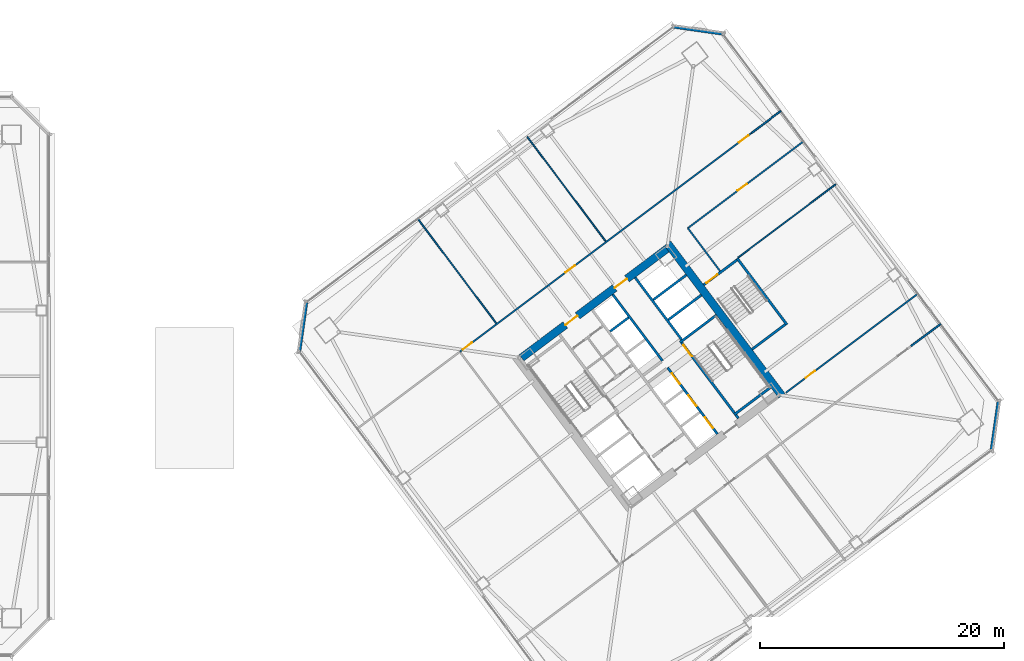
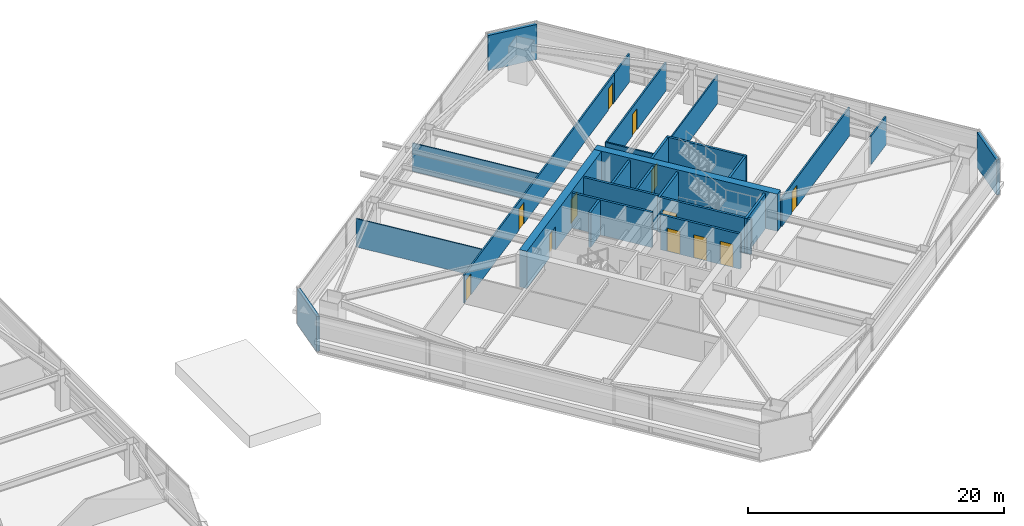
# One storey, part 37 of 46: 26 walls, 12 doors, 12 openings.
"""IFC4 building model written with IfcOpenShell, lengths in metres."""

import ifcopenshell
import ifcopenshell.guid

model = None  # the IFC model being written
_history = None  # IfcOwnerHistory: only IFC2X3 demands one
_inside = {}  # id of a spatial element -> (the spatial element, [elements in it])
_under = {}  # id of a project, library or spatial element -> (it, [spatial elements below it])
_declared = {}  # id of a project -> (the project, [libraries it declares])
_typed = {}  # id of a type object -> (the type object, [elements of that type])
_made_of = {}  # id of a material, layer set ... -> (it, [elements and type objects made of it])


def new_model(schema):
    """Start an empty IFC model of exactly this schema.

    Asked for "IFC4X3", IfcOpenShell would pick the latest addendum, in which some entities
    have other attributes; the version numbers below select the first issue.
    IFC2X3 requires an IfcOwnerHistory on every rooted entity: one is made here for all.
    """
    global model, _history
    if schema == "IFC4X3":
        model = ifcopenshell.file(schema_version=(4, 3, 0, 0))
    else:
        model = ifcopenshell.file(schema=schema)
    _inside.clear()
    _under.clear()
    _declared.clear()
    _typed.clear()
    _made_of.clear()
    _history = None
    if model.schema == "IFC2X3":
        org = make("IfcOrganization", Name="unknown")
        user = make(
            "IfcPersonAndOrganization",
            ThePerson=make("IfcPerson", FamilyName="unknown"),
            TheOrganization=org,
        )
        app = make(
            "IfcApplication",
            ApplicationDeveloper=org,
            Version="unknown",
            ApplicationFullName="unknown",
            ApplicationIdentifier="unknown",
        )
        _history = make(
            "IfcOwnerHistory",
            OwningUser=user,
            OwningApplication=app,
            ChangeAction="ADDED",
            CreationDate=0,
        )
    return model


def make(cls, **values):
    """One entity of the class cls with the attributes given. An attribute that is None is left unset."""
    return model.create_entity(
        cls, **{name: value for name, value in values.items() if value is not None}
    )


def rooted(cls, **values):
    """An entity with a GlobalId (a new one), such as an element, a storey or a relation."""
    return make(cls, GlobalId=ifcopenshell.guid.new(), OwnerHistory=_history, **values)


def si_unit(unit_type, name, prefix=None):
    """IfcSIUnit, for example si_unit("LENGTHUNIT", "METRE", prefix="MILLI")."""
    return make("IfcSIUnit", UnitType=unit_type, Prefix=prefix, Name=name)


def assignment(units):
    """IfcUnitAssignment: the units of a project."""
    return None if units is None else make("IfcUnitAssignment", Units=units)


def point(xyz):
    """IfcCartesianPoint."""
    return None if xyz is None else make("IfcCartesianPoint", Coordinates=xyz)


def direction(xyz):
    """IfcDirection."""
    return None if xyz is None else make("IfcDirection", DirectionRatios=xyz)


def frame(location, z_axis=None, x_axis=None):
    """IfcAxis2Placement3D, a coordinate frame: its origin and axes. An axis left out is left unset."""
    return make(
        "IfcAxis2Placement3D",
        Location=point(location),
        Axis=direction(z_axis),
        RefDirection=direction(x_axis),
    )


def frame_2d(location, x_axis=None):
    """IfcAxis2Placement2D, a coordinate frame in the plane: its origin and x axis."""
    return make(
        "IfcAxis2Placement2D", Location=point(location), RefDirection=direction(x_axis)
    )


def origin():
    """The frame at (0, 0, 0) with its axes left unset."""
    return frame((0.0, 0.0, 0.0))


def place(relative_to, where):
    """IfcLocalPlacement: puts the frame where relative to a parent placement (None: the world)."""
    return make(
        "IfcLocalPlacement", PlacementRelTo=relative_to, RelativePlacement=where
    )


def context(
    kind, dimensions, precision=None, world=None, true_north=None, identifier=None
):
    """IfcGeometricRepresentationContext, for example the 3D "Model" context."""
    return make(
        "IfcGeometricRepresentationContext",
        ContextIdentifier=identifier,
        ContextType=kind,
        CoordinateSpaceDimension=dimensions,
        Precision=precision,
        WorldCoordinateSystem=world,
        TrueNorth=true_north,
    )


def subcontext(parent, identifier, kind, view, scale=None):
    """IfcGeometricRepresentationSubContext, for example "Body" below "Model"."""
    return make(
        "IfcGeometricRepresentationSubContext",
        ContextIdentifier=identifier,
        ContextType=kind,
        ParentContext=parent,
        TargetScale=scale,
        TargetView=view,
    )


def project(units=None, contexts=None):
    """IfcProject with its units and contexts."""
    return rooted(
        "IfcProject",
        Name="project",
        RepresentationContexts=contexts,
        UnitsInContext=assignment(units),
    )


def spatial(cls, under=None, at=None, **own):
    """A site, building, storey or space (cls), placed at a placement, below another one or the project."""
    s = rooted(cls, ObjectPlacement=at, **own)
    if under is not None:
        _under.setdefault(under.id(), (under, []))[1].append(s)
    return s


def profile(cls, at=None, kind="AREA", **sizes):
    """A parametric profile (cls). Its sizes go by their IFC names, for example OverallWidth=200.0."""
    return make(cls, ProfileType=kind, Position=at, **sizes)


def rectangle(**sizes):
    """IfcRectangleProfileDef."""
    return profile("IfcRectangleProfileDef", **sizes)


def extrude(swept, where, along, depth):
    """IfcExtrudedAreaSolid: the profile swept, set in the frame where, extruded along a direction by depth."""
    return make(
        "IfcExtrudedAreaSolid",
        SweptArea=swept,
        Position=where,
        ExtrudedDirection=direction(along),
        Depth=depth,
    )


def shape(context_of_items, identifier, shape_type, items):
    """IfcShapeRepresentation: the items that make up one representation, for example the "Body"."""
    return make(
        "IfcShapeRepresentation",
        ContextOfItems=context_of_items,
        RepresentationIdentifier=identifier,
        RepresentationType=shape_type,
        Items=items,
    )


def material(Name=None, Category=None):
    """IfcMaterial."""
    return make("IfcMaterial", Name=Name, Category=Category)


def layer(
    of_material, thickness, ventilated=None, Name=None, Category=None, Priority=None
):
    """IfcMaterialLayer: one layer of a wall or slab, of a material (None: an air gap)."""
    return make(
        "IfcMaterialLayer",
        Material=of_material,
        LayerThickness=thickness,
        IsVentilated=ventilated,
        Name=Name,
        Category=Category,
        Priority=Priority,
    )


def layer_set(layers, Name=None):
    """IfcMaterialLayerSet."""
    return make("IfcMaterialLayerSet", MaterialLayers=layers, LayerSetName=Name)


def made_of(thing, what):
    """Note that an element or type object is made of a material, layer set ...; save() writes the relation."""
    if what is not None:
        _made_of.setdefault(what.id(), (what, []))[1].append(thing)
    return thing


def type_object(cls, material=None, **own):
    """A type object (cls), such as IfcWallType, which elements share."""
    return made_of(rooted(cls, **own), material)


def element(
    cls,
    number,
    at=None,
    inside=None,
    cuts=None,
    type_object=None,
    material=None,
    context=None,
    identifier="Body",
    shape_type=None,
    held_by="IfcProductDefinitionShape",
    body=None,
    shapes=None,
    **own,
):
    """One element of the class cls, such as IfcWall. Its Tag is "e" and its number.

    at: its placement. inside: the storey or other place that contains it. cuts: it is an
    opening in that element (IfcRelVoidsElement). A single representation is given by context,
    identifier, shape_type and body (its items); several are given by shapes. held_by: the class
    of the entity that holds the representations. save() writes the other relations.
    """
    e = rooted(cls, Tag="e%d" % number, ObjectPlacement=at, **own)
    if body is not None:
        shapes = [shape(context, identifier, shape_type, body)]
    if shapes is not None:
        e.Representation = make(held_by, Representations=shapes)
    if inside is not None:
        _inside.setdefault(inside.id(), (inside, []))[1].append(e)
    if cuts is not None:
        rooted(
            "IfcRelVoidsElement", RelatingBuildingElement=cuts, RelatedOpeningElement=e
        )
    if type_object is not None:
        _typed.setdefault(type_object.id(), (type_object, []))[1].append(e)
    return made_of(e, material)


def fill(opening, filler):
    """IfcRelFillsElement: the door or window that sits in an opening."""
    return rooted(
        "IfcRelFillsElement",
        RelatingOpeningElement=opening,
        RelatedBuildingElement=filler,
    )


def aggregate(whole, parts):
    """IfcRelAggregates: a whole, such as a stair, and the parts it consists of."""
    return rooted("IfcRelAggregates", RelatingObject=whole, RelatedObjects=parts)


def save(model, path):
    """Write the relations noted so far, then the file.

    IfcRelAggregates (storeys below a building ...), IfcRelContainedInSpatialStructure (elements
    in a storey), IfcRelDefinesByType, IfcRelAssociatesMaterial and IfcRelDeclares: one each for
    every whole, place, type object, material and project.
    """
    for whole, parts in _under.values():
        aggregate(whole, parts)
    for where, things in _inside.values():
        rooted(
            "IfcRelContainedInSpatialStructure",
            RelatedElements=things,
            RelatingStructure=where,
        )
    for kind, things in _typed.values():
        rooted("IfcRelDefinesByType", RelatedObjects=things, RelatingType=kind)
    for what, things in _made_of.values():
        rooted("IfcRelAssociatesMaterial", RelatedObjects=things, RelatingMaterial=what)
    for by, libraries in _declared.values():
        rooted("IfcRelDeclares", RelatingContext=by, RelatedDefinitions=libraries)
    model.write(path)


model = new_model("IFC4")

# Units and contexts
model_context = context("Model", 3, precision=1e-05, world=origin(), true_north=direction((0.0, 1.0)))
body_context = subcontext(model_context, "Body", "Model", "MODEL_VIEW")
ifc_project = project(units=[si_unit("LENGTHUNIT", "METRE"), si_unit("AREAUNIT", "SQUARE_METRE"), si_unit("VOLUMEUNIT", "CUBIC_METRE"), si_unit("PLANEANGLEUNIT", "RADIAN"), si_unit("MASSUNIT", "GRAM", prefix="KILO")], contexts=[model_context])

# Site, building, storey
site_placement = place(None, origin())
site = spatial("IfcSite", under=ifc_project, at=site_placement, CompositionType="ELEMENT")
building_placement = place(site_placement, origin())
building = spatial("IfcBuilding", under=site, at=building_placement, Name="Tashvorn Skyway Center", CompositionType="ELEMENT")
storey_placement = place(building_placement, frame((0.0, 0.0, 31.699951171875)))
storey = spatial("IfcBuildingStorey", under=building, at=storey_placement, Name="L07", CompositionType="ELEMENT", Elevation=31.699951171875)

# Wall
ifc_material_1 = material(Name="Concrete C60/75", Category="concrete")
ifc_layer_1 = layer(ifc_material_1, 0.64990234375)
ifc_layer_set_1 = layer_set([ifc_layer_1], Name="Concrete C60/75")
wall_type_1 = type_object("IfcWallType", Name="WALL-CORE-650", PredefinedType="SHEAR", material=ifc_layer_set_1)
wall_1_placement = place(storey_placement, frame((115.52392578125, 42.89306640625, 0.0), z_axis=(0.0, 0.0, 1.0), x_axis=(0.600005007985, -0.799996243986, 0.0)))
element("IfcWall", 1, at=wall_1_placement, inside=storey, type_object=wall_type_1, Name="Tower 2 L07 East Core Shear Wall", PredefinedType="SHEAR", context=body_context, shape_type="SweptSolid", body=[
    extrude(rectangle(XDim=15.60009765625, YDim=0.64990234375, at=frame_2d((7.800048828125, 0.0))), origin(), (0.0, 0.0, 1.0), 3.550048828125),
])

# Wall, openings, doors
wall_2_placement = place(storey_placement, frame((103.571044921875, 33.52197265625, 0.0), z_axis=(0.0, 0.0, 1.0), x_axis=(0.799998028465, 0.600002628705, 0.0)))
wall_2 = element("IfcWall", 2, at=wall_2_placement, inside=storey, type_object=wall_type_1, Name="Tower 2 L07 North Core Shear Wall", PredefinedType="SHEAR", context=body_context, shape_type="SweptSolid", body=[
    extrude(rectangle(XDim=14.85986328125, YDim=0.64990234375, at=frame_2d((7.429931640625, 0.0))), origin(), (0.0, 0.0, 1.0), 3.550048828125),
])
opening_1_placement = place(wall_2_placement, frame((4.47998046875, 0.0, 0.0)))
opening_1 = element("IfcOpeningElement", 3, at=opening_1_placement, cuts=wall_2, Name="Opening D-FFL-1250", PredefinedType="OPENING", context=body_context, shape_type="SweptSolid", body=[
    extrude(rectangle(XDim=1.25, YDim=2.25, at=frame_2d((0.625, 1.125))), frame((0.0, 0.3349609375, 0.0), z_axis=(0.0, -1.0, 0.0), x_axis=(1.0, 0.0, 0.0)), (0.0, 0.0, 1.0), 0.669921875),
])
opening_2_placement = place(wall_2_placement, frame((9.530029296875, 0.0, 0.0)))
opening_2 = element("IfcOpeningElement", 4, at=opening_2_placement, cuts=wall_2, Name="Opening D-FFL-1250", PredefinedType="OPENING", context=body_context, shape_type="SweptSolid", body=[
    extrude(rectangle(XDim=1.25, YDim=2.25, at=frame_2d((0.625, 1.125))), frame((0.0, 0.3349609375, 0.0), z_axis=(0.0, -1.0, 0.0), x_axis=(1.0, 0.0, 0.0)), (0.0, 0.0, 1.0), 0.669921875),
])
ifc_material_2 = material(Name="Hollow galvanized steel fire door assembly", Category="steel")
door_type_1 = type_object("IfcDoorType", Name="DOOR-FFL-1250", OperationType="NOTDEFINED", PredefinedType="DOOR", material=ifc_material_2)
door_1_placement = place(opening_1_placement, origin())
door_1 = element("IfcDoor", 5, at=door_1_placement, inside=storey, type_object=door_type_1, Name="Tower 2 L07 Core North Service Lobby Door", OperationType="SINGLE_SWING_LEFT", OverallHeight=2.25, OverallWidth=1.25, PredefinedType="DOOR", context=body_context, shape_type="SweptSolid", body=[
    extrude(rectangle(XDim=1.25, YDim=2.25, at=frame_2d((0.625, 1.125))), frame((0.0, 0.02490234375, 0.0), z_axis=(0.0, -1.0, 0.0), x_axis=(1.0, 0.0, 0.0)), (0.0, 0.0, 1.0), 0.050048828125),
])
fill(opening_1, door_1)
door_2_placement = place(opening_2_placement, origin())
door_2 = element("IfcDoor", 6, at=door_2_placement, inside=storey, type_object=door_type_1, Name="Tower 2 L07 Core North Lift Lobby Door", OperationType="SINGLE_SWING_RIGHT", OverallHeight=2.25, OverallWidth=1.25, PredefinedType="DOOR", context=body_context, shape_type="SweptSolid", body=[
    extrude(rectangle(XDim=1.25, YDim=2.25, at=frame_2d((0.625, 1.125))), frame((0.0, 0.02490234375, 0.0), z_axis=(0.0, -1.0, 0.0), x_axis=(1.0, 0.0, 0.0)), (0.0, 0.0, 1.0), 0.050048828125),
])
fill(opening_2, door_2)

# Walls
ifc_material_3 = material(Name="Precast concrete C40/50", Category="concrete")
ifc_layer_2 = layer(ifc_material_3, 0.280029296875)
ifc_layer_set_2 = layer_set([ifc_layer_2], Name="Precast concrete C40/50")
wall_type_2 = type_object("IfcWallType", Name="WALL-EXT-280", PredefinedType="SOLIDWALL", material=ifc_layer_set_2)
for number, where, z_axis, x_axis, name in (
    (7, (85.360107421875, 34.02001953125, 0.0), (0.0, 0.0, 1.0), (0.14137968631, 0.989955445613, 0.0), "Tower 2 L07 NW Precast Chamfer Wall"),
    (8, (116.02001953125, 60.639892578125, 0.0), (0.0, 0.0, 1.0), (0.989955445613, -0.14137968631, 0.0), "Tower 2 L07 NE Precast Chamfer Wall"),
    (9, (142.639892578125, 29.97998046875, 0.0), (0.0, 0.0, 1.0), (-0.14137968631, -0.989955445613, 0.0), "Tower 2 L07 SE Precast Chamfer Wall"),
):
    element("IfcWall", number, at=place(storey_placement, frame(where, z_axis=z_axis, x_axis=x_axis)), inside=storey, type_object=wall_type_2, Name=name, PredefinedType="SOLIDWALL", context=body_context, shape_type="SweptSolid", body=[
        extrude(rectangle(XDim=4.101318359375, YDim=0.280029296875, at=frame_2d((2.05078125, 0.0))), origin(), (0.0, 0.0, 1.0), 3.35009765625),
    ])
ifc_material_4 = material(Name="Gypsum board on cold-formed steel stud framing", Category="steel")
ifc_layer_3 = layer(ifc_material_4, 0.110107421875)
ifc_layer_set_3 = layer_set([ifc_layer_3], Name="Gypsum board on cold-formed steel stud framing")
wall_type_3 = type_object("IfcWallType", Name="WALL-PART-110", PredefinedType="PARTITIONING", material=ifc_layer_set_3)
for number, where, z_axis, x_axis, name in (
    (10, (101.491943359375, 36.343994140625, 0.0), (0.0, 0.0, 1.0), (-0.599992698573, 0.800005476018, 0.0), "Tower 2 L07 North Suite Partition 1"),
    (11, (110.451904296875, 43.06396484375, 0.0), (0.0, 0.0, 1.0), (-0.599992698573, 0.800005476018, 0.0), "Tower 2 L07 North Suite Partition 2"),
):
    element("IfcWall", number, at=place(storey_placement, frame(where, z_axis=z_axis, x_axis=x_axis)), inside=storey, type_object=wall_type_3, Name=name, PredefinedType="PARTITIONING", context=body_context, shape_type="SweptSolid", body=[
        extrude(rectangle(XDim=10.699951171875, YDim=0.110107421875, at=frame_2d((5.35009765625, 0.0))), origin(), (0.0, 0.0, 1.0), 2.703125),
    ])
wall_3_placement = place(storey_placement, frame((129.303955078125, 47.72802734375, 0.0), z_axis=(0.0, 0.0, 1.0), x_axis=(-0.8, -0.6, 0.0)))
element("IfcWall", 12, at=wall_3_placement, inside=storey, type_object=wall_type_3, Name="Tower 2 L07 East Suite Partition 1", PredefinedType="PARTITIONING", context=body_context, shape_type="SweptSolid", body=[
    extrude(rectangle(XDim=10.0, YDim=0.110107421875, at=frame_2d((5.0, 0.0))), origin(), (0.0, 0.0, 1.0), 2.703125),
])
ifc_layer_4 = layer(ifc_material_4, 0.135009765625)
ifc_layer_set_4 = layer_set([ifc_layer_4], Name="Gypsum board on cold-formed steel stud framing")
wall_type_4 = type_object("IfcWallType", Name="WALL-PART-135", PredefinedType="PARTITIONING", material=ifc_layer_set_4)
wall_4_placement = place(storey_placement, frame((119.823974609375, 40.617919921875, 0.0), z_axis=(0.0, 0.0, 1.0), x_axis=(-0.599982243973, 0.800013316712, 0.0)))
element("IfcWall", 13, at=wall_4_placement, inside=storey, type_object=wall_type_4, Name="Tower 2 L07 Stair 3 Access Corridor Wall", PredefinedType="PARTITIONING", context=body_context, shape_type="SweptSolid", body=[
    extrude(rectangle(XDim=4.39990234375, YDim=0.135009765625, at=frame_2d((2.199951171875, 0.0))), origin(), (0.0, 0.0, 1.0), 2.703125),
])

# Wall, openings, doors
wall_5_placement = place(storey_placement, frame((98.51611328125, 34.011962890625, 0.0), z_axis=(0.0, 0.0, 1.0), x_axis=(0.799998035726, 0.600002619023, 0.0)))
wall_5 = element("IfcWall", 14, at=wall_5_placement, inside=storey, type_object=wall_type_4, Name="Tower 2 L07 North Suite Wall", PredefinedType="PARTITIONING", context=body_context, shape_type="SweptSolid", body=[
    extrude(rectangle(XDim=29.829833984375, YDim=0.135009765625, at=frame_2d((14.9150390625, 0.0))), origin(), (0.0, 0.0, 1.0), 2.703125),
])
opening_3_placement = place(wall_5_placement, frame((0.300048828125, 0.0, 0.0)))
opening_3 = element("IfcOpeningElement", 15, at=opening_3_placement, cuts=wall_5, Name="Opening D-INT-950", PredefinedType="OPENING", context=body_context, shape_type="SweptSolid", body=[
    extrude(rectangle(XDim=0.949951171875, YDim=2.050048828125, at=frame_2d((0.47509765625, 1.02490234375))), frame((0.0, 0.077392578125, 0.0), z_axis=(0.0, -1.0, 0.0), x_axis=(1.0, 0.0, 0.0)), (0.0, 0.0, 1.0), 0.155029296875),
])
opening_4_placement = place(wall_5_placement, frame((10.82861328125, 0.0, 0.0)))
opening_4 = element("IfcOpeningElement", 16, at=opening_4_placement, cuts=wall_5, Name="Opening D-INT-950", PredefinedType="OPENING", context=body_context, shape_type="SweptSolid", body=[
    extrude(rectangle(XDim=0.949951171875, YDim=2.050048828125, at=frame_2d((0.47509765625, 1.02490234375))), frame((0.0, 0.077392578125, 0.0), z_axis=(0.0, -1.0, 0.0), x_axis=(1.0, 0.0, 0.0)), (0.0, 0.0, 1.0), 0.155029296875),
])
opening_5_placement = place(wall_5_placement, frame((28.580078125, 0.0, 0.0)))
opening_5 = element("IfcOpeningElement", 17, at=opening_5_placement, cuts=wall_5, Name="Opening D-INT-950", PredefinedType="OPENING", context=body_context, shape_type="SweptSolid", body=[
    extrude(rectangle(XDim=0.949951171875, YDim=2.050048828125, at=frame_2d((0.47509765625, 1.02490234375))), frame((0.0, 0.077392578125, 0.0), z_axis=(0.0, -1.0, 0.0), x_axis=(1.0, 0.0, 0.0)), (0.0, 0.0, 1.0), 0.155029296875),
])
ifc_material_5 = material(Name="Solid-core architectural oak veneer door")
door_type_2 = type_object("IfcDoorType", Name="DOOR-INT-950", OperationType="NOTDEFINED", PredefinedType="DOOR", material=ifc_material_5)
door_3_placement = place(opening_3_placement, origin())
door_3 = element("IfcDoor", 18, at=door_3_placement, inside=storey, type_object=door_type_2, Name="Tower 2 L07 Open Plan Office Door", OperationType="SINGLE_SWING_LEFT", OverallHeight=2.050048828125, OverallWidth=0.949951171875, PredefinedType="DOOR", context=body_context, shape_type="SweptSolid", body=[
    extrude(rectangle(XDim=0.949951171875, YDim=2.050048828125, at=frame_2d((0.47509765625, 1.02490234375))), frame((0.0, 0.02490234375, 0.0), z_axis=(0.0, -1.0, 0.0), x_axis=(1.0, 0.0, 0.0)), (0.0, 0.0, 1.0), 0.050048828125),
])
fill(opening_3, door_3)
door_4_placement = place(opening_4_placement, origin())
door_4 = element("IfcDoor", 19, at=door_4_placement, inside=storey, type_object=door_type_2, Name="Tower 2 L07 Open Plan Office Door", OperationType="SINGLE_SWING_RIGHT", OverallHeight=2.050048828125, OverallWidth=0.949951171875, PredefinedType="DOOR", context=body_context, shape_type="SweptSolid", body=[
    extrude(rectangle(XDim=0.949951171875, YDim=2.050048828125, at=frame_2d((0.47509765625, 1.02490234375))), frame((0.0, 0.02490234375, 0.0), z_axis=(0.0, -1.0, 0.0), x_axis=(1.0, 0.0, 0.0)), (0.0, 0.0, 1.0), 0.050048828125),
])
fill(opening_4, door_4)
door_5_placement = place(opening_5_placement, origin())
door_5 = element("IfcDoor", 20, at=door_5_placement, inside=storey, type_object=door_type_2, Name="Tower 2 L07 Catering Pantry Door", OperationType="SINGLE_SWING_LEFT", OverallHeight=2.050048828125, OverallWidth=0.949951171875, PredefinedType="DOOR", context=body_context, shape_type="SweptSolid", body=[
    extrude(rectangle(XDim=0.949951171875, YDim=2.050048828125, at=frame_2d((0.47509765625, 1.02490234375))), frame((0.0, 0.02490234375, 0.0), z_axis=(0.0, -1.0, 0.0), x_axis=(1.0, 0.0, 0.0)), (0.0, 0.0, 1.0), 0.050048828125),
])
fill(opening_5, door_5)

# Walls
for number, where, z_axis, x_axis, name in (
    (21, (122.3798828125, 51.909912109375, 0.0), (0.0, 0.0, 1.0), (0.799990331366, 0.600012891296, 0.0), "Tower 2 L07 North-East Suite South Wall"),
    (22, (135.4599609375, 34.469970703125, 0.0), (0.0, 0.0, 1.0), (0.799990331366, 0.600012891296, 0.0), "Tower 2 L07 South-East Suite North Wall"),
):
    element("IfcWall", number, at=place(storey_placement, frame(where, z_axis=z_axis, x_axis=x_axis)), inside=storey, type_object=wall_type_4, Name=name, PredefinedType="PARTITIONING", context=body_context, shape_type="SweptSolid", body=[
        extrude(rectangle(XDim=3.030029296875, YDim=0.135009765625, at=frame_2d((1.51513671875, 0.0))), origin(), (0.0, 0.0, 1.0), 2.703125),
    ])

# Wall, opening, door
wall_6_placement = place(storey_placement, frame((126.6640625, 51.248046875, 0.0), z_axis=(0.0, 0.0, 1.0), x_axis=(-0.799995055373, -0.600006592779, 0.0)))
wall_6 = element("IfcWall", 23, at=wall_6_placement, inside=storey, type_object=wall_type_4, Name="Tower 2 L07 East Suite North Wall", PredefinedType="PARTITIONING", context=body_context, shape_type="SweptSolid", body=[
    extrude(rectangle(XDim=11.85009765625, YDim=0.135009765625, at=frame_2d((5.925048828125, 0.0))), origin(), (0.0, 0.0, 1.0), 2.703125),
])
opening_6_placement = place(wall_6_placement, frame((5.800048828125, 0.0, 0.0)))
opening_6 = element("IfcOpeningElement", 24, at=opening_6_placement, cuts=wall_6, Name="Opening D-INT-950", PredefinedType="OPENING", context=body_context, shape_type="SweptSolid", body=[
    extrude(rectangle(XDim=0.949951171875, YDim=2.050048828125, at=frame_2d((0.47509765625, 1.02490234375))), frame((0.0, 0.077392578125, 0.0), z_axis=(0.0, -1.0, 0.0), x_axis=(1.0, 0.0, 0.0)), (0.0, 0.0, 1.0), 0.155029296875),
])
door_6_placement = place(opening_6_placement, origin())
door_6 = element("IfcDoor", 25, at=door_6_placement, inside=storey, type_object=door_type_2, Name="Tower 2 L07 Executive Study Lounge Door", OperationType="SINGLE_SWING_LEFT", OverallHeight=2.050048828125, OverallWidth=0.949951171875, PredefinedType="DOOR", context=body_context, shape_type="SweptSolid", body=[
    extrude(rectangle(XDim=0.949951171875, YDim=2.050048828125, at=frame_2d((0.47509765625, 1.02490234375))), frame((0.0, 0.02490234375, 0.0), z_axis=(0.0, -1.0, 0.0), x_axis=(1.0, 0.0, 0.0)), (0.0, 0.0, 1.0), 0.050048828125),
])
fill(opening_6, door_6)

wall_7_placement = place(storey_placement, frame((125.2080078125, 30.656005859375, 0.0), z_axis=(0.0, 0.0, 1.0), x_axis=(0.799995666112, 0.600005778473, 0.0)))
wall_7 = element("IfcWall", 26, at=wall_7_placement, inside=storey, type_object=wall_type_4, Name="Tower 2 L07 East Suite South Wall", PredefinedType="PARTITIONING", context=body_context, shape_type="SweptSolid", body=[
    extrude(rectangle(XDim=13.52001953125, YDim=0.135009765625, at=frame_2d((6.760009765625, 0.0))), origin(), (0.0, 0.0, 1.0), 2.703125),
])
opening_7_placement = place(wall_7_placement, frame((2.044921875, 0.0, 0.0)))
opening_7 = element("IfcOpeningElement", 27, at=opening_7_placement, cuts=wall_7, Name="Opening D-INT-950", PredefinedType="OPENING", context=body_context, shape_type="SweptSolid", body=[
    extrude(rectangle(XDim=0.949951171875, YDim=2.050048828125, at=frame_2d((0.47509765625, 1.02490234375))), frame((0.0, 0.077392578125, 0.0), z_axis=(0.0, -1.0, 0.0), x_axis=(1.0, 0.0, 0.0)), (0.0, 0.0, 1.0), 0.155029296875),
])
door_7_placement = place(opening_7_placement, origin())
door_7 = element("IfcDoor", 28, at=door_7_placement, inside=storey, type_object=door_type_2, Name="Tower 2 L07 Public Restroom Door", OperationType="SINGLE_SWING_RIGHT", OverallHeight=2.050048828125, OverallWidth=0.949951171875, PredefinedType="DOOR", context=body_context, shape_type="SweptSolid", body=[
    extrude(rectangle(XDim=0.949951171875, YDim=2.050048828125, at=frame_2d((0.47509765625, 1.02490234375))), frame((0.0, 0.02490234375, 0.0), z_axis=(0.0, -1.0, 0.0), x_axis=(1.0, 0.0, 0.0)), (0.0, 0.0, 1.0), 0.050048828125),
])
fill(opening_7, door_7)

# Walls
ifc_material_6 = material(Name="Concrete C40/50", Category="concrete")
ifc_layer_5 = layer(ifc_material_6, 0.199951171875)
ifc_layer_set_5 = layer_set([ifc_layer_5], Name="Concrete C40/50")
wall_type_5 = type_object("IfcWallType", Name="WALL-SHAFT-200", PredefinedType="SOLIDWALL", material=ifc_layer_set_5)
for number, where, z_axis, x_axis, name in (
    (29, (115.590087890625, 36.6298828125, 0.0), (0.0, 0.0, 1.0), (0.799973995579, 0.600034670996, 0.0), "Tower 2 L07 High-Rise Shaft Divider"),
    (30, (114.360107421875, 38.27001953125, 0.0), (0.0, 0.0, 1.0), (0.799973995579, 0.600034670996, 0.0), "Tower 2 L07 High-Rise Shaft Divider"),
):
    element("IfcWall", number, at=place(storey_placement, frame(where, z_axis=z_axis, x_axis=x_axis)), inside=storey, type_object=wall_type_5, Name=name, PredefinedType="SOLIDWALL", context=body_context, shape_type="SweptSolid", body=[
        extrude(rectangle(XDim=3.3798828125, YDim=0.199951171875, at=frame_2d((1.68994140625, 0.0))), origin(), (0.0, 0.0, 1.0), 3.35009765625),
    ])

# Wall, openings, doors
wall_8_placement = place(storey_placement, frame((119.610107421875, 27.27001953125, 0.0), z_axis=(0.0, 0.0, 1.0), x_axis=(-0.600011488909, 0.79999138319, 0.0)))
wall_8 = element("IfcWall", 31, at=wall_8_placement, inside=storey, type_object=wall_type_5, Name="Tower 2 L07 Low-Rise Core Wall", PredefinedType="SOLIDWALL", context=body_context, shape_type="SweptSolid", body=[
    extrude(rectangle(XDim=6.800048828125, YDim=0.199951171875, at=frame_2d((3.39990234375, 0.0))), origin(), (0.0, 0.0, 1.0), 3.35009765625),
])
opening_8_placement = place(wall_8_placement, frame((0.625, 0.0, 0.0)))
opening_8 = element("IfcOpeningElement", 32, at=opening_8_placement, cuts=wall_8, Name="Opening LD-LR-T2-1-L07", PredefinedType="OPENING", context=body_context, shape_type="SweptSolid", body=[
    extrude(rectangle(XDim=1.10009765625, YDim=2.199951171875, at=frame_2d((0.550048828125, 1.10009765625))), frame((0.0, 0.10986328125, 0.0), z_axis=(0.0, -1.0, 0.0), x_axis=(1.0, 0.0, 0.0)), (0.0, 0.0, 1.0), 0.219970703125),
])
opening_9_placement = place(wall_8_placement, frame((2.875, 0.0, 0.0)))
opening_9 = element("IfcOpeningElement", 33, at=opening_9_placement, cuts=wall_8, Name="Opening LD-LR-T2-2-L07", PredefinedType="OPENING", context=body_context, shape_type="SweptSolid", body=[
    extrude(rectangle(XDim=1.10009765625, YDim=2.199951171875, at=frame_2d((0.550048828125, 1.10009765625))), frame((0.0, 0.10986328125, 0.0), z_axis=(0.0, -1.0, 0.0), x_axis=(1.0, 0.0, 0.0)), (0.0, 0.0, 1.0), 0.219970703125),
])
opening_10_placement = place(wall_8_placement, frame((5.125, 0.0, 0.0)))
opening_10 = element("IfcOpeningElement", 34, at=opening_10_placement, cuts=wall_8, Name="Opening LD-LR-T2-3-L07", PredefinedType="OPENING", context=body_context, shape_type="SweptSolid", body=[
    extrude(rectangle(XDim=1.10009765625, YDim=2.199951171875, at=frame_2d((0.550048828125, 1.10009765625))), frame((0.0, 0.10986328125, 0.0), z_axis=(0.0, -1.0, 0.0), x_axis=(1.0, 0.0, 0.0)), (0.0, 0.0, 1.0), 0.219970703125),
])
ifc_material_7 = material(Name="Stainless steel landing door", Category="steel")
door_type_3 = type_object("IfcDoorType", Name="DOOR-LIFT-1100", OperationType="SLIDING_TO_LEFT", PredefinedType="DOOR", material=ifc_material_7)
door_8_placement = place(opening_8_placement, origin())
door_8 = element("IfcDoor", 35, at=door_8_placement, inside=storey, type_object=door_type_3, Name="Lift LR-T2-1 L07 Landing Door", OperationType="SLIDING_TO_LEFT", OverallHeight=2.199951171875, OverallWidth=1.10009765625, PredefinedType="DOOR", context=body_context, shape_type="SweptSolid", body=[
    extrude(rectangle(XDim=1.10009765625, YDim=2.199951171875, at=frame_2d((0.550048828125, 1.10009765625))), frame((0.0, 0.02490234375, 0.0), z_axis=(0.0, -1.0, 0.0), x_axis=(1.0, 0.0, 0.0)), (0.0, 0.0, 1.0), 0.050048828125),
])
fill(opening_8, door_8)
door_9_placement = place(opening_9_placement, origin())
door_9 = element("IfcDoor", 36, at=door_9_placement, inside=storey, type_object=door_type_3, Name="Lift LR-T2-2 L07 Landing Door", OperationType="SLIDING_TO_LEFT", OverallHeight=2.199951171875, OverallWidth=1.10009765625, PredefinedType="DOOR", context=body_context, shape_type="SweptSolid", body=[
    extrude(rectangle(XDim=1.10009765625, YDim=2.199951171875, at=frame_2d((0.550048828125, 1.10009765625))), frame((0.0, 0.02490234375, 0.0), z_axis=(0.0, -1.0, 0.0), x_axis=(1.0, 0.0, 0.0)), (0.0, 0.0, 1.0), 0.050048828125),
])
fill(opening_9, door_9)
door_10_placement = place(opening_10_placement, origin())
door_10 = element("IfcDoor", 37, at=door_10_placement, inside=storey, type_object=door_type_3, Name="Lift LR-T2-3 L07 Landing Door", OperationType="SLIDING_TO_LEFT", OverallHeight=2.199951171875, OverallWidth=1.10009765625, PredefinedType="DOOR", context=body_context, shape_type="SweptSolid", body=[
    extrude(rectangle(XDim=1.10009765625, YDim=2.199951171875, at=frame_2d((0.550048828125, 1.10009765625))), frame((0.0, 0.02490234375, 0.0), z_axis=(0.0, -1.0, 0.0), x_axis=(1.0, 0.0, 0.0)), (0.0, 0.0, 1.0), 0.050048828125),
])
fill(opening_10, door_10)

# Walls
wall_9_placement = place(storey_placement, frame((115.110107421875, 33.27001953125, 0.0), z_axis=(0.0, 0.0, 1.0), x_axis=(-0.600011488909, 0.79999138319, 0.0)))
element("IfcWall", 38, at=wall_9_placement, inside=storey, type_object=wall_type_5, Name="Tower 2 L07 Mid-Rise Core Wall", PredefinedType="SOLIDWALL", context=body_context, shape_type="SweptSolid", body=[
    extrude(rectangle(XDim=6.800048828125, YDim=0.199951171875, at=frame_2d((3.39990234375, 0.0))), origin(), (0.0, 0.0, 1.0), 3.35009765625),
])
wall_10_placement = place(storey_placement, frame((110.825927734375, 35.681884765625, 0.0), z_axis=(0.0, 0.0, 1.0), x_axis=(0.799984418148, 0.600020775241, 0.0)))
element("IfcWall", 39, at=wall_10_placement, inside=storey, type_object=wall_type_5, Name="Tower 2 L07 Mid-Rise Shaft Divider", PredefinedType="SOLIDWALL", context=body_context, shape_type="SweptSolid", body=[
    extrude(rectangle(XDim=1.880126953125, YDim=0.199951171875, at=frame_2d((0.93994140625, 0.0))), origin(), (0.0, 0.0, 1.0), 3.35009765625),
])

# Wall, opening, door
ifc_layer_6 = layer(ifc_material_6, 0.199951171875)
ifc_layer_set_6 = layer_set([ifc_layer_6], Name="Concrete C40/50")
wall_type_6 = type_object("IfcWallType", Name="WALL-STSHF-200", PredefinedType="SHEAR", material=ifc_layer_set_6)
wall_11_placement = place(storey_placement, frame((116.56005859375, 34.919921875, 0.0), z_axis=(0.0, 0.0, 1.0), x_axis=(0.600009827119, -0.799992629566, 0.0)))
wall_11 = element("IfcWall", 40, at=wall_11_placement, inside=storey, type_object=wall_type_6, Name="Tower 2 L07 Stair 2 Enclosure Wall", PredefinedType="SHEAR", context=body_context, shape_type="SweptSolid", body=[
    extrude(rectangle(XDim=7.949951171875, YDim=0.199951171875, at=frame_2d((3.97509765625, 0.0))), origin(), (0.0, 0.0, 1.0), 3.35009765625),
])
opening_11_placement = place(wall_11_placement, frame((0.449951171875, 0.0, 0.0)))
opening_11 = element("IfcOpeningElement", 41, at=opening_11_placement, cuts=wall_11, Name="Opening D-ST-1150", PredefinedType="OPENING", context=body_context, shape_type="SweptSolid", body=[
    extrude(rectangle(XDim=1.14990234375, YDim=2.199951171875, at=frame_2d((0.574951171875, 1.10009765625))), frame((0.0, 0.10986328125, 0.0), z_axis=(0.0, -1.0, 0.0), x_axis=(1.0, 0.0, 0.0)), (0.0, 0.0, 1.0), 0.219970703125),
])
door_type_4 = type_object("IfcDoorType", Name="DOOR-STAIR-1150", OperationType="NOTDEFINED", PredefinedType="DOOR", material=ifc_material_2)
door_11_placement = place(opening_11_placement, origin())
door_11 = element("IfcDoor", 42, at=door_11_placement, inside=storey, type_object=door_type_4, Name="Tower 2 L07 Exit Stair 2 Door", OperationType="SINGLE_SWING_RIGHT", OverallHeight=2.199951171875, OverallWidth=1.14990234375, PredefinedType="DOOR", context=body_context, shape_type="SweptSolid", body=[
    extrude(rectangle(XDim=1.14990234375, YDim=2.199951171875, at=frame_2d((0.574951171875, 1.10009765625))), frame((0.0, 0.02490234375, 0.0), z_axis=(0.0, -1.0, 0.0), x_axis=(1.0, 0.0, 0.0)), (0.0, 0.0, 1.0), 0.050048828125),
])
fill(opening_11, door_11)

# Walls
for number, where, z_axis, x_axis, name in (
    (43, (116.5400390625, 34.780029296875, 0.0), (0.0, 0.0, 1.0), (0.799984290658, 0.600020945218, 0.0), "Tower 2 L07 Stair 2 North Wall"),
    (44, (120.97998046875, 28.860107421875, 0.0), (0.0, 0.0, 1.0), (0.800039270442, 0.59994763584, 0.0), "Tower 2 L07 Stair 2 South Wall"),
):
    element("IfcWall", number, at=place(storey_placement, frame(where, z_axis=z_axis, x_axis=x_axis)), inside=storey, type_object=wall_type_6, Name=name, PredefinedType="SHEAR", context=body_context, shape_type="SweptSolid", body=[
        extrude(rectangle(XDim=3.72998046875, YDim=0.199951171875, at=frame_2d((1.864990234375, 0.0))), origin(), (0.0, 0.0, 1.0), 3.35009765625),
    ])
wall_12_placement = place(storey_placement, frame((112.8701171875, 40.090087890625, 0.0), z_axis=(0.0, 0.0, 1.0), x_axis=(0.599975393228, -0.800018454488, 0.0)))
element("IfcWall", 45, at=wall_12_placement, inside=storey, type_object=wall_type_6, Name="Tower 2 L07 High-Rise Lift Shaft Front Wall", PredefinedType="SHEAR", context=body_context, shape_type="SweptSolid", body=[
    extrude(rectangle(XDim=6.349853515625, YDim=0.199951171875, at=frame_2d((3.1748046875, 0.0))), origin(), (0.0, 0.0, 1.0), 3.35009765625),
])
wall_13_placement = place(storey_placement, frame((125.303955078125, 36.22802734375, 0.0), z_axis=(0.0, 0.0, 1.0), x_axis=(-0.59998851072, 0.800008616831, 0.0)))
element("IfcWall", 46, at=wall_13_placement, inside=storey, type_object=wall_type_6, Name="Tower 2 L07 Stair 3 Outer Wall", PredefinedType="SHEAR", context=body_context, shape_type="SweptSolid", body=[
    extrude(rectangle(XDim=6.7998046875, YDim=0.199951171875, at=frame_2d((3.39990234375, 0.0))), origin(), (0.0, 0.0, 1.0), 3.35009765625),
])

# Wall, opening, door
wall_14_placement = place(storey_placement, frame((121.2041015625, 41.528076171875, 0.0), z_axis=(0.0, 0.0, 1.0), x_axis=(-0.800017232136, -0.599977023131, 0.0)))
wall_14 = element("IfcWall", 47, at=wall_14_placement, inside=storey, type_object=wall_type_6, Name="Tower 2 L07 Stair 3 Enclosure Wall", PredefinedType="SHEAR", context=body_context, shape_type="SweptSolid", body=[
    extrude(rectangle(XDim=3.400146484375, YDim=0.199951171875, at=frame_2d((1.7001953125, 0.0))), origin(), (0.0, 0.0, 1.0), 3.35009765625),
])
opening_12_placement = place(wall_14_placement, frame((1.97509765625, 0.0, 0.0)))
opening_12 = element("IfcOpeningElement", 48, at=opening_12_placement, cuts=wall_14, Name="Opening D-ST-1150", PredefinedType="OPENING", context=body_context, shape_type="SweptSolid", body=[
    extrude(rectangle(XDim=1.14990234375, YDim=2.199951171875, at=frame_2d((0.574951171875, 1.10009765625))), frame((0.0, 0.10986328125, 0.0), z_axis=(0.0, -1.0, 0.0), x_axis=(1.0, 0.0, 0.0)), (0.0, 0.0, 1.0), 0.219970703125),
])
door_12_placement = place(opening_12_placement, origin())
door_12 = element("IfcDoor", 49, at=door_12_placement, inside=storey, type_object=door_type_4, Name="Tower 2 L07 Exit Stair 3 Door", OperationType="SINGLE_SWING_RIGHT", OverallHeight=2.199951171875, OverallWidth=1.14990234375, PredefinedType="DOOR", context=body_context, shape_type="SweptSolid", body=[
    extrude(rectangle(XDim=1.14990234375, YDim=2.199951171875, at=frame_2d((0.574951171875, 1.10009765625))), frame((0.0, 0.02490234375, 0.0), z_axis=(0.0, -1.0, 0.0), x_axis=(1.0, 0.0, 0.0)), (0.0, 0.0, 1.0), 0.050048828125),
])
fill(opening_12, door_12)

# Wall
wall_15_placement = place(storey_placement, frame((122.444091796875, 34.2080078125, 0.0), z_axis=(0.0, 0.0, 1.0), x_axis=(0.79999138319, 0.600011488909, 0.0)))
element("IfcWall", 50, at=wall_15_placement, inside=storey, type_object=wall_type_6, Name="Tower 2 L07 Stair 3 South Wall", PredefinedType="SHEAR", context=body_context, shape_type="SweptSolid", body=[
    extrude(rectangle(XDim=3.39990234375, YDim=0.199951171875, at=frame_2d((1.699951171875, 0.0))), origin(), (0.0, 0.0, 1.0), 3.35009765625),
])

save(model, "model.ifc")
